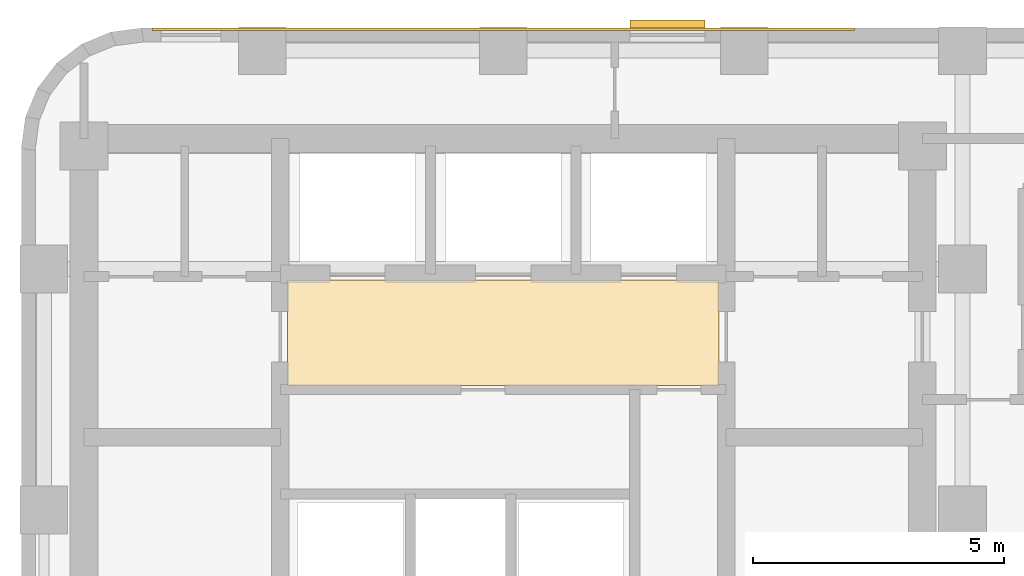
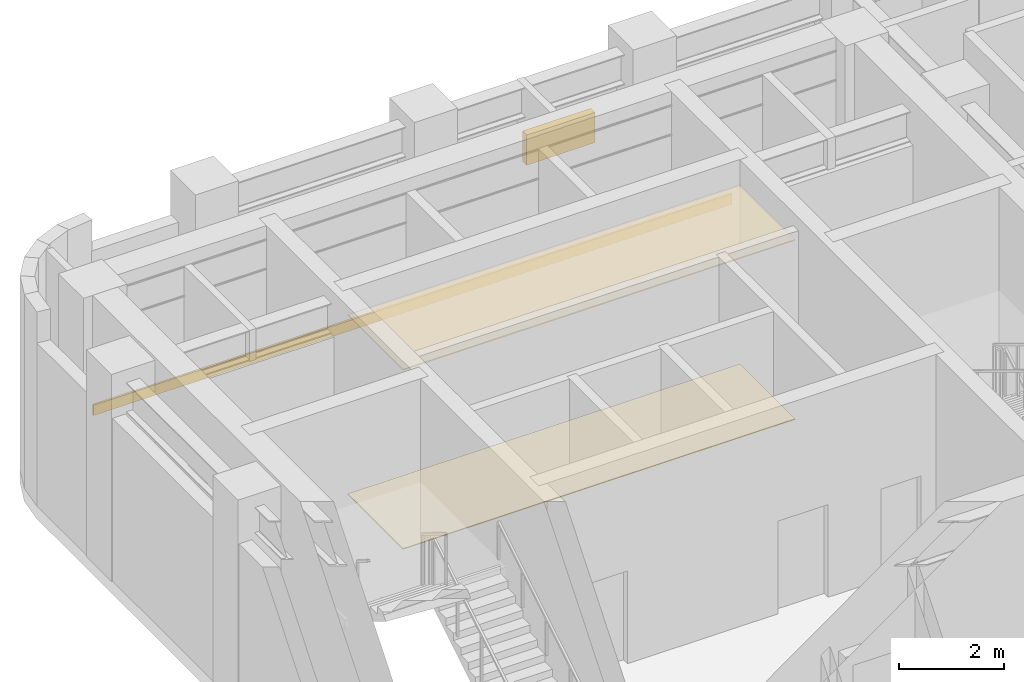
# One storey, part 12 of 12: 3 coverings, 1 shading device.
"""IFC4 building model written with IfcOpenShell, lengths in metres."""

from ifc_helpers import new_model, si_unit, direction, frame, origin, origin_2d, place, context, subcontext, project, spatial, polyline, rectangle, outline, extrude, material, layer, layer_set, type_object, element, save


model = new_model("IFC4")

# Units and contexts
model_context = context("Model", 3, precision=1e-05, world=origin(), true_north=direction((0.0, 1.0)))
body_context = subcontext(model_context, "Body", "Model", "MODEL_VIEW")
ifc_project = project(units=[si_unit("LENGTHUNIT", "METRE"), si_unit("AREAUNIT", "SQUARE_METRE"), si_unit("VOLUMEUNIT", "CUBIC_METRE"), si_unit("PLANEANGLEUNIT", "RADIAN"), si_unit("MASSUNIT", "GRAM", prefix="KILO")], contexts=[model_context])

# Site, building, storey
site_placement = place(None, origin())
site = spatial("IfcSite", under=ifc_project, at=site_placement, CompositionType="ELEMENT")
building_placement = place(site_placement, origin())
building = spatial("IfcBuilding", under=site, at=building_placement, Name="Orvandelia Arch Residences", CompositionType="ELEMENT")
storey_placement = place(building_placement, frame((0.0, 0.0, 193.60009765625)))
storey = spatial("IfcBuildingStorey", under=building, at=storey_placement, Name="L51", CompositionType="ELEMENT", Elevation=193.60009765625)

# Coverings
ifc_material_1 = material(Name="Perforated Acoustic Mineral-Fibre Ceiling")
ifc_layer_1 = layer(ifc_material_1, 0.02490234375, Name="Perforated Acoustic Mineral-Fibre Ceiling")
ifc_layer_set_1 = layer_set([ifc_layer_1], Name="Perforated Acoustic Mineral-Fibre Ceiling")
covering_type_1 = type_object("IfcCoveringType", Name="COV-CEIL-ACOUSTIC", PredefinedType="CEILING", material=ifc_layer_set_1)
covering_1_placement = place(storey_placement, frame((0.0, 0.0, 4.14990234375)))
element("IfcCovering", 1, at=covering_1_placement, inside=storey, type_object=covering_type_1, Name="Lift Hall Suspended Acoustic Ceiling L51", PredefinedType="CEILING", context=body_context, shape_type="SweptSolid", body=[
    extrude(outline(polyline([(10.10009765625, 40.8798828125), (18.699951171875, 40.8798828125), (18.699951171875, 42.97998046875), (10.10009765625, 42.97998046875), (10.10009765625, 40.8798828125)])), origin(), (0.0, 0.0, 1.0), 0.02490234375),
])
ifc_material_2 = material(Name="Engineered Oak Flooring")
ifc_layer_2 = layer(ifc_material_2, 0.02001953125, Name="Engineered Oak Flooring")
ifc_layer_set_2 = layer_set([ifc_layer_2], Name="Engineered Oak Flooring")
covering_type_2 = type_object("IfcCoveringType", Name="COV-FLOOR-TIMBER", PredefinedType="FLOORING", material=ifc_layer_set_2)
covering_2_placement = place(storey_placement, origin())
element("IfcCovering", 2, at=covering_2_placement, inside=storey, type_object=covering_type_2, Name="Lift Hall Finish Flooring L51", PredefinedType="FLOORING", context=body_context, shape_type="SweptSolid", body=[
    extrude(outline(polyline([(10.10009765625, 40.8798828125), (18.699951171875, 40.8798828125), (18.699951171875, 42.97998046875), (10.10009765625, 42.97998046875), (10.10009765625, 40.8798828125)])), origin(), (0.0, 0.0, 1.0), 0.02001953125),
])
ifc_material_3 = material(Name="Coral-Limestone Architectural Cladding", Category="masonry")
ifc_layer_3 = layer(ifc_material_3, 0.044921875, Name="Coral-Limestone Architectural Cladding", Category="masonry")
ifc_layer_set_3 = layer_set([ifc_layer_3], Name="Coral-Limestone Architectural Cladding")
covering_type_3 = type_object("IfcCoveringType", Name="COV-STONE-CLAD", PredefinedType="CLADDING", material=ifc_layer_set_3)
covering_3_placement = place(storey_placement, frame((14.39990234375, 47.97509765625, -0.240234375), z_axis=(0.0, 0.0, 1.0), x_axis=(1.0, 0.0, 0.0)))
element("IfcCovering", 3, at=covering_3_placement, inside=storey, type_object=covering_type_3, Name="Coral-Limestone Slab-Edge Cladding Band L51", PredefinedType="CLADDING", context=body_context, shape_type="SweptSolid", body=[
    extrude(rectangle(XDim=14.0, YDim=0.044921875, at=origin_2d()), origin(), (0.0, 0.0, 1.0), 0.239990234375),
])

# Shading device
ifc_material_4 = material(Name="Anodised Champagne-Bronze Extruded Aluminium", Category="aluminium")
shading_device_type = type_object("IfcShadingDeviceType", Name="SHD-JALOUSIE-SCREEN", PredefinedType="JALOUSIE", material=ifc_material_4)
shading_device_placement = place(storey_placement, frame((17.672607421875, 48.080078125, 2.19970703125), z_axis=(0.0, 0.0, 1.0), x_axis=(1.0, 0.0, 0.0)))
element("IfcShadingDevice", 4, at=shading_device_placement, inside=storey, type_object=shading_device_type, Name="Bronze Jalousie Sun-Shade L51-001", PredefinedType="JALOUSIE", context=body_context, shape_type="SweptSolid", body=[
    extrude(rectangle(XDim=1.5, YDim=0.159912109375, at=origin_2d()), origin(), (0.0, 0.0, 1.0), 0.699951171875),
])

save(model, "model.ifc")
